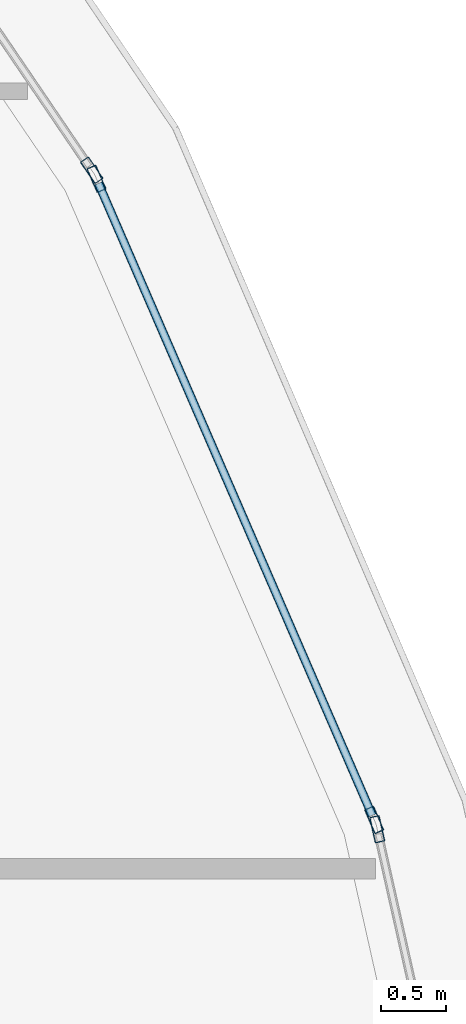
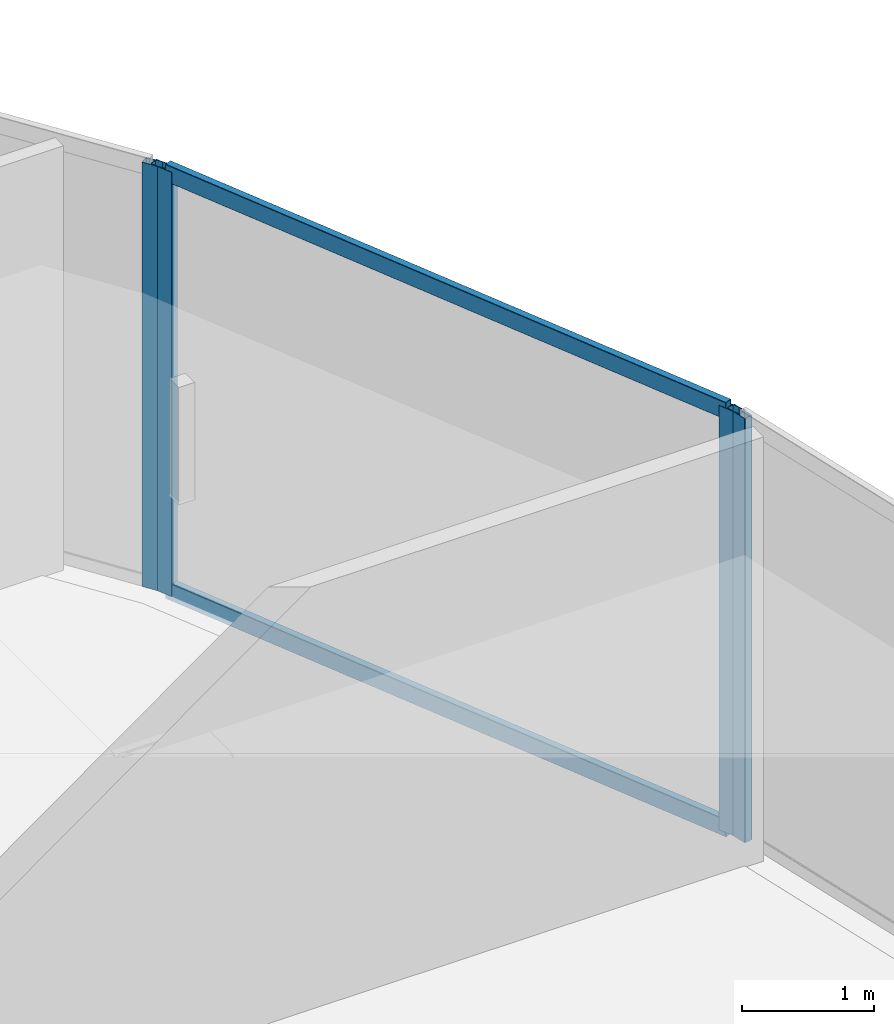
# One storey, part 17 of 29: 6 members, 3 elements without a shape of their own.
"""IFC4 building model written with IfcOpenShell, lengths in metres."""

from ifc_helpers import new_model, si_unit, direction, frame, origin, origin_2d, place, context, subcontext, project, spatial, hollow_rectangle, extrude, material, layer, layer_set, material_profile, profile_set, type_object, element, aggregate, save


model = new_model("IFC4")

# Units and contexts
model_context = context("Model", 3, precision=1e-05, world=origin(), true_north=direction((0.0, 1.0)))
body_context = subcontext(model_context, "Body", "Model", "MODEL_VIEW")
ifc_project = project(units=[si_unit("LENGTHUNIT", "METRE"), si_unit("AREAUNIT", "SQUARE_METRE"), si_unit("VOLUMEUNIT", "CUBIC_METRE"), si_unit("PLANEANGLEUNIT", "RADIAN"), si_unit("MASSUNIT", "GRAM", prefix="KILO")], contexts=[model_context])

# Site, building, storey
site_placement = place(None, origin())
site = spatial("IfcSite", under=ifc_project, at=site_placement, CompositionType="ELEMENT")
building_placement = place(site_placement, origin())
building = spatial("IfcBuilding", under=site, at=building_placement, Name="Qorvath Tower", CompositionType="ELEMENT")
storey_placement = place(building_placement, frame((0.0, 0.0, 285.0)))
storey = spatial("IfcBuildingStorey", under=building, at=storey_placement, Name="L66", CompositionType="ELEMENT", Elevation=285.0)

# Curtain wall, member
ifc_material_1 = material(Name="Anodised aluminium and triple low-E glass", Category="aluminium")
ifc_layer = layer(ifc_material_1, 0.179931640625)
ifc_layer_set = layer_set([ifc_layer], Name="CW-SYS-4")
curtain_wall_type = type_object("IfcCurtainWallType", Name="CW-SYS-4", PredefinedType="NOTDEFINED", material=ifc_layer_set)
curtain_wall_1_placement = place(storey_placement, origin())
curtain_wall_1 = element("IfcCurtainWall", 1, at=curtain_wall_1_placement, inside=storey, type_object=curtain_wall_type, Name="Curtain Wall CW-4 CW-T-L66-11.1", PredefinedType="NOTDEFINED")
ifc_material_2 = material(Name="Anodised aluminium 6063-T6", Category="aluminium")
ifc_material_profile_1 = material_profile(ifc_material_2, hollow_rectangle(XDim=0.074951171875, YDim=0.199951171875, WallThickness=0.00390625, InnerFilletRadius=0.00390625, OuterFilletRadius=0.008056640625, at=origin_2d()), Name="CWM 200x75")
ifc_profile_set_1 = profile_set([ifc_material_profile_1], Name="Anodised aluminium 6063-T6")
member_type_1 = type_object("IfcMemberType", Name="CWM-200", PredefinedType="MULLION", material=ifc_profile_set_1)
member_1_placement = place(storey_placement, frame((-3.293212890625, 8.902587890625, 0.0), z_axis=(0.0, 0.0, 1.0), x_axis=(-0.975687408116, -0.219166789554, 0.0)))
member_1 = element("IfcMember", 2, at=member_1_placement, type_object=member_type_1, Name="CW-4 mullion 2", PredefinedType="MULLION", context=body_context, shape_type="SweptSolid", body=[
    extrude(hollow_rectangle(XDim=0.074951171875, YDim=0.199951171875, WallThickness=0.00390625, InnerFilletRadius=0.00390625, OuterFilletRadius=0.008056640625, at=origin_2d()), origin(), (0.0, 0.0, 1.0), 3.909912109375),
])
aggregate(curtain_wall_1, [member_1])

# Curtain wall, members
curtain_wall_2_placement = place(storey_placement, origin())
curtain_wall_2 = element("IfcCurtainWall", 3, at=curtain_wall_2_placement, inside=storey, type_object=curtain_wall_type, Name="Curtain Wall CW-4 CW-T-L66-12.1", PredefinedType="NOTDEFINED")
member_2_placement = place(storey_placement, frame((-3.31640625, 8.9736328125, 0.0), z_axis=(0.0, 0.0, 1.0), x_axis=(-0.917598288083, -0.397508970599, 0.0)))
member_2 = element("IfcMember", 4, at=member_2_placement, type_object=member_type_1, Name="CW-4 mullion 1", PredefinedType="MULLION", context=body_context, shape_type="SweptSolid", body=[
    extrude(hollow_rectangle(XDim=0.074951171875, YDim=0.199951171875, WallThickness=0.00390625, InnerFilletRadius=0.00390625, OuterFilletRadius=0.008056640625, at=origin_2d()), origin(), (0.0, 0.0, 1.0), 3.909912109375),
])
member_3_placement = place(storey_placement, frame((-5.439208984375, 13.873779296875, 0.0), z_axis=(0.0, 0.0, 1.0), x_axis=(-0.917598288083, -0.397508970599, 0.0)))
member_3 = element("IfcMember", 5, at=member_3_placement, type_object=member_type_1, Name="CW-4 mullion 2", PredefinedType="MULLION", context=body_context, shape_type="SweptSolid", body=[
    extrude(hollow_rectangle(XDim=0.074951171875, YDim=0.199951171875, WallThickness=0.00390625, InnerFilletRadius=0.00390625, OuterFilletRadius=0.008056640625, at=origin_2d()), origin(), (0.0, 0.0, 1.0), 3.909912109375),
])

# Curtain wall, member
curtain_wall_3_placement = place(storey_placement, origin())
curtain_wall_3 = element("IfcCurtainWall", 6, at=curtain_wall_3_placement, inside=storey, type_object=curtain_wall_type, Name="Curtain Wall CW-4 CW-T-L66-13.1", PredefinedType="NOTDEFINED")
member_4_placement = place(storey_placement, frame((-5.47509765625, 13.939208984375, 0.0), z_axis=(0.0, 0.0, 1.0), x_axis=(-0.827177497637, -0.561940732999, 0.0)))
member_4 = element("IfcMember", 7, at=member_4_placement, type_object=member_type_1, Name="CW-4 mullion 1", PredefinedType="MULLION", context=body_context, shape_type="SweptSolid", body=[
    extrude(hollow_rectangle(XDim=0.074951171875, YDim=0.199951171875, WallThickness=0.00390625, InnerFilletRadius=0.00390625, OuterFilletRadius=0.008056640625, at=origin_2d()), origin(), (0.0, 0.0, 1.0), 3.909912109375),
])
aggregate(curtain_wall_3, [member_4])

# Member
ifc_material_3 = material(Name="Anodised aluminium 6063-T6", Category="aluminium")
ifc_material_profile_2 = material_profile(ifc_material_3, hollow_rectangle(XDim=0.06494140625, YDim=0.159912109375, WallThickness=0.00341796875, InnerFilletRadius=0.00341796875, OuterFilletRadius=0.007080078125, at=origin_2d()), Name="CWT 160x65")
ifc_profile_set_2 = profile_set([ifc_material_profile_2], Name="Anodised aluminium 6063-T6")
member_type_2 = type_object("IfcMemberType", Name="CWT-160", PredefinedType="USERDEFINED", material=ifc_profile_set_2)
member_5_placement = place(storey_placement, frame((-3.331298828125, 9.008056640625, 0.032470703125), z_axis=(-0.397520250234, 0.917593401597, 0.0), x_axis=(-0.917593401597, -0.397520250234, 0.0)))
member_5 = element("IfcMember", 8, at=member_5_placement, type_object=member_type_2, Name="CW-4 transom 1.1", ObjectType="TRANSOM", PredefinedType="USERDEFINED", context=body_context, shape_type="SweptSolid", body=[
    extrude(hollow_rectangle(XDim=0.06494140625, YDim=0.159912109375, WallThickness=0.00341796875, InnerFilletRadius=0.00341796875, OuterFilletRadius=0.007080078125, at=origin_2d()), origin(), (0.0, 0.0, 1.0), 5.26513671875),
])

member_6_placement = place(storey_placement, frame((-3.331298828125, 9.008056640625, 3.87744140625), z_axis=(-0.397520250234, 0.917593401597, 0.0), x_axis=(-0.917593401597, -0.397520250234, 0.0)))
member_6 = element("IfcMember", 9, at=member_6_placement, type_object=member_type_2, Name="CW-4 transom 1.2", ObjectType="TRANSOM", PredefinedType="USERDEFINED", context=body_context, shape_type="SweptSolid", body=[
    extrude(hollow_rectangle(XDim=0.06494140625, YDim=0.159912109375, WallThickness=0.00341796875, InnerFilletRadius=0.00341796875, OuterFilletRadius=0.007080078125, at=origin_2d()), origin(), (0.0, 0.0, 1.0), 5.26513671875),
])

aggregate(curtain_wall_2, [member_2, member_3, member_5, member_6])

save(model, "model.ifc")
